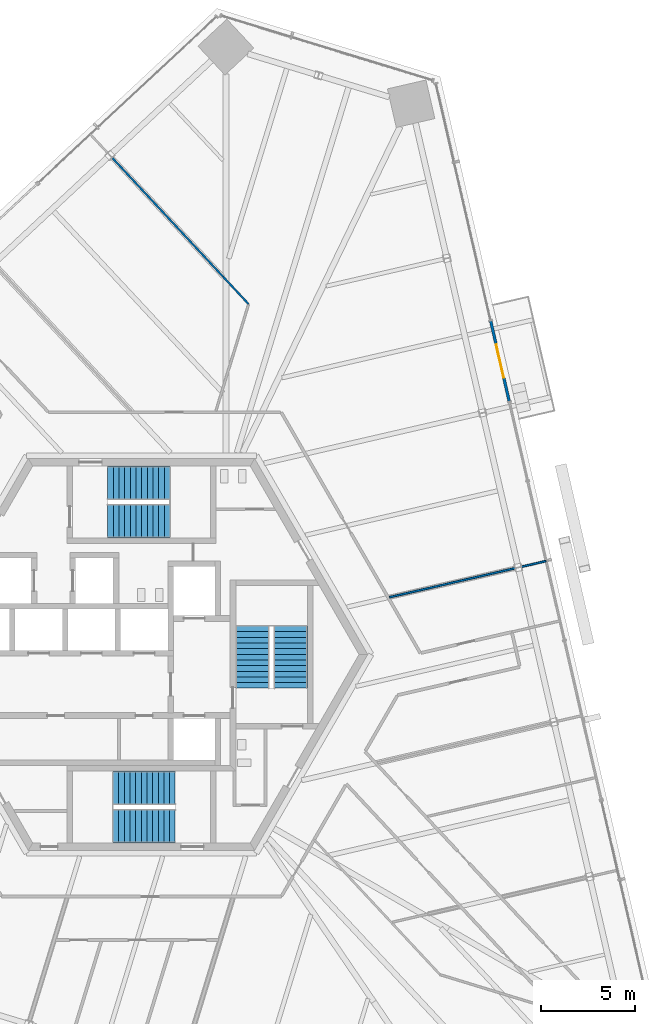
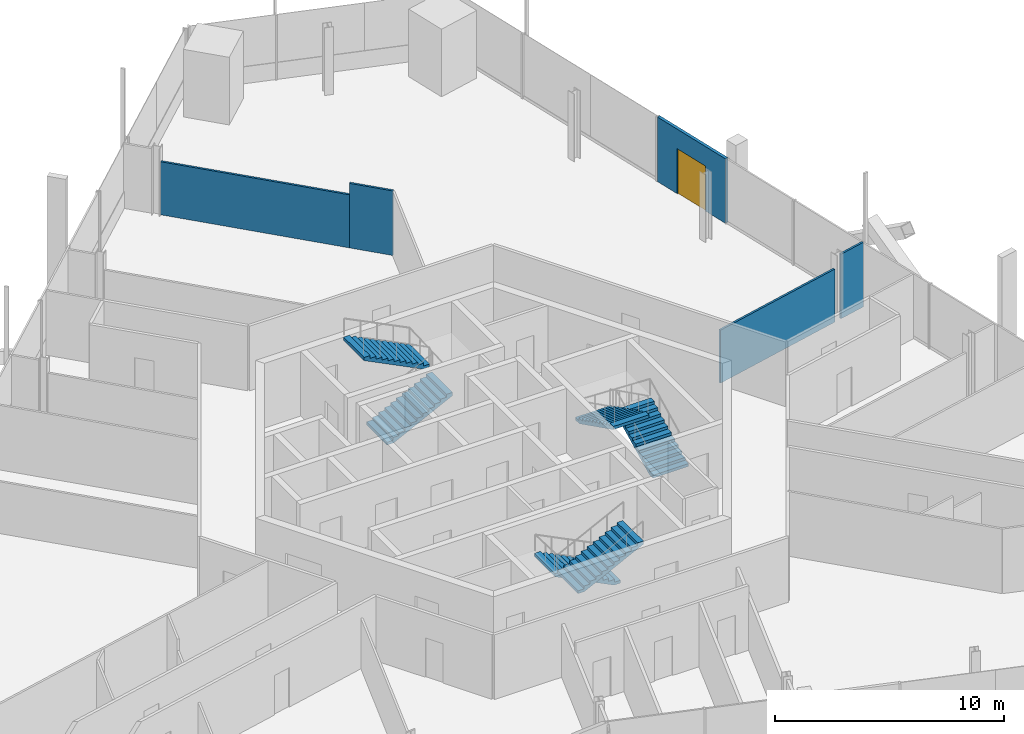
# One storey, part 17 of 24: 6 stair flights, 5 walls, 1 door, 1 opening, 3 elements without a shape of their own.
"""IFC4 building model written with IfcOpenShell, lengths in metres."""

from ifc_helpers import new_model, si_unit, direction, frame, frame_2d, origin, place, context, subcontext, project, spatial, polyline, rectangle, outline, extrude, source, transform, mapped, material, layer, layer_set, type_object, element, fill, aggregate, save


model = new_model("IFC4")

# Units and contexts
model_context = context("Model", 3, precision=1e-05, world=origin(), true_north=direction((0.0, 1.0)))
body_context = subcontext(model_context, "Body", "Model", "MODEL_VIEW")
ifc_project = project(units=[si_unit("LENGTHUNIT", "METRE"), si_unit("AREAUNIT", "SQUARE_METRE"), si_unit("VOLUMEUNIT", "CUBIC_METRE"), si_unit("PLANEANGLEUNIT", "RADIAN"), si_unit("MASSUNIT", "GRAM", prefix="KILO")], contexts=[model_context])

# Site, building, storey
site_placement = place(None, origin())
site = spatial("IfcSite", under=ifc_project, at=site_placement, CompositionType="ELEMENT")
building_placement = place(site_placement, origin())
building = spatial("IfcBuilding", under=site, at=building_placement, Name="Triune Harvest Tower", CompositionType="ELEMENT")
storey_placement = place(building_placement, frame((0.0, 0.0, 112.699951171875)))
storey = spatial("IfcBuildingStorey", under=building, at=storey_placement, Name="L28", CompositionType="ELEMENT", Elevation=112.699951171875)

# Wall, opening, door
ifc_material_1 = material(Name="Aluminium bronze anodised", Category="aluminium")
ifc_layer_1 = layer(ifc_material_1, 0.14990234375)
ifc_layer_set_1 = layer_set([ifc_layer_1], Name="Aluminium bronze anodised")
wall_type_1 = type_object("IfcWallType", Name="WW-2 balcony window wall", PredefinedType="ELEMENTEDWALL", material=ifc_layer_set_1)
shared_shape_1 = source(origin(), body_context, "Body", "SweptSolid", [
    extrude(rectangle(XDim=4.353271484375, YDim=0.14990234375, at=frame_2d((2.1767578125, 0.0))), origin(), (0.0, 0.0, 1.0), 3.43994140625),
])
wall_1_placement = place(storey_placement, frame((18.52197265625, 17.6796875, 0.0), z_axis=(0.0, 0.0, 1.0), x_axis=(0.224945519463, -0.974371342597, 0.0)))
wall_1 = element("IfcWall", 1, at=wall_1_placement, inside=storey, type_object=wall_type_1, Name="WW-2 B3-F1 L28.9", PredefinedType="ELEMENTEDWALL", context=body_context, shape_type="MappedRepresentation", body=[
    mapped(shared_shape_1, transform((0.0, 0.0, 0.0), scale=1.0)),
])
opening_placement = place(wall_1_placement, frame((1.276611328125, 0.0, 0.0)))
opening = element("IfcOpeningElement", 2, at=opening_placement, cuts=wall_1, Name="Opening L28-E01", PredefinedType="OPENING", context=body_context, shape_type="SweptSolid", body=[
    extrude(rectangle(XDim=1.800048828125, YDim=2.39990234375, at=frame_2d((0.89990234375, 1.199951171875))), frame((0.0, 0.0849609375, 0.0), z_axis=(0.0, -1.0, 0.0), x_axis=(1.0, 0.0, 0.0)), (0.0, 0.0, 1.0), 0.169921875),
])
ifc_material_2 = material(Name="Glass", Category="glass")
door_type = type_object("IfcDoorType", Name="DB-1 balcony door 1800 x 2400", OperationType="DOUBLE_DOOR_SINGLE_SWING", PredefinedType="DOOR", material=ifc_material_2)
door_placement = place(opening_placement, origin())
door = element("IfcDoor", 3, at=door_placement, inside=storey, type_object=door_type, Name="Door L28-E01", OperationType="DOUBLE_DOOR_SINGLE_SWING", OverallHeight=2.39990234375, OverallWidth=1.800048828125, PredefinedType="DOOR", context=body_context, shape_type="SweptSolid", body=[
    extrude(rectangle(XDim=1.800048828125, YDim=2.39990234375, at=frame_2d((0.89990234375, 1.199951171875))), frame((0.0, 0.02490234375, 0.0), z_axis=(0.0, -1.0, 0.0), x_axis=(1.0, 0.0, 0.0)), (0.0, 0.0, 1.0), 0.050048828125),
])
fill(opening, door)

# Walls
ifc_material_3 = material(Name="Gypsum board on steel studs", Category="steel")
ifc_layer_2 = layer(ifc_material_3, 0.10009765625)
ifc_layer_set_2 = layer_set([ifc_layer_2], Name="Gypsum board on steel studs")
wall_type_2 = type_object("IfcWallType", Name="Partition 100 mm", PredefinedType="PARTITIONING", material=ifc_layer_set_2)
shared_shape_2 = source(origin(), body_context, "Body", "SweptSolid", [
    extrude(rectangle(XDim=1.338134765625, YDim=0.10009765625, at=frame_2d((0.6689453125, 0.0))), origin(), (0.0, 0.0, 1.0), 3.43994140625),
])
wall_2_placement = place(storey_placement, frame((20.156005859375, 4.6533203125, 0.0), z_axis=(0.0, 0.0, 1.0), x_axis=(0.974363511026, 0.224979439906, 0.0)))
element("IfcWall", 4, at=wall_2_placement, inside=storey, type_object=wall_type_2, Name="Partition L28 044", PredefinedType="PARTITIONING", context=body_context, shape_type="MappedRepresentation", body=[
    mapped(shared_shape_2, transform((0.0, 0.0, 0.0), scale=1.0)),
])
shared_shape_3 = source(origin(), body_context, "Body", "SweptSolid", [
    extrude(rectangle(XDim=8.61767578125, YDim=0.10009765625, at=frame_2d((4.308837890625, 0.0))), origin(), (0.0, 0.0, 1.0), 2.827880859375),
])
wall_3_placement = place(storey_placement, frame((-1.5537109375, 26.342041015625, 0.0), z_axis=(0.0, 0.0, 1.0), x_axis=(0.682000224703, -0.731351962809, 0.0)))
element("IfcWall", 5, at=wall_3_placement, inside=storey, type_object=wall_type_2, Name="Partition L28 022", PredefinedType="PARTITIONING", context=body_context, shape_type="MappedRepresentation", body=[
    mapped(shared_shape_3, transform((0.0, 0.0, 0.0), scale=1.0)),
])
shared_shape_4 = source(origin(), body_context, "Body", "SweptSolid", [
    extrude(rectangle(XDim=1.9912109375, YDim=0.10009765625, at=frame_2d((0.99560546875, 0.0))), origin(), (0.0, 0.0, 1.0), 3.43994140625),
])
wall_4_placement = place(storey_placement, frame((4.323486328125, 20.03955078125, 0.0), z_axis=(0.0, 0.0, 1.0), x_axis=(0.681968684126, -0.731381373752, 0.0)))
element("IfcWall", 6, at=wall_4_placement, inside=storey, type_object=wall_type_2, Name="Partition L28 022a", PredefinedType="PARTITIONING", context=body_context, shape_type="MappedRepresentation", body=[
    mapped(shared_shape_4, transform((0.0, 0.0, 0.0), scale=1.0)),
])
shared_shape_5 = source(origin(), body_context, "Body", "SweptSolid", [
    extrude(rectangle(XDim=6.825927734375, YDim=0.10009765625, at=frame_2d((3.4130859375, 0.0))), origin(), (0.0, 0.0, 1.0), 2.827880859375),
])
wall_5_placement = place(storey_placement, frame((13.153076171875, 3.03662109375, 0.0), z_axis=(0.0, 0.0, 1.0), x_axis=(0.974374314592, 0.224932645614, 0.0)))
element("IfcWall", 7, at=wall_5_placement, inside=storey, type_object=wall_type_2, Name="Partition L28 043", PredefinedType="PARTITIONING", context=body_context, shape_type="MappedRepresentation", body=[
    mapped(shared_shape_5, transform((0.0, 0.0, 0.0), scale=1.0)),
])

# Stair, stair flights
ifc_material_4 = material(Name="Concrete 40 MPa", Category="concrete")
stair_type = type_object("IfcStairType", Name="Exit stair 1800 half turn", PredefinedType="HALF_TURN_STAIR", material=ifc_material_4)
stair_1_placement = place(storey_placement, origin())
stair_1 = element("IfcStair", 8, at=stair_1_placement, inside=storey, type_object=stair_type, Name="Exit stair north", PredefinedType="HALF_TURN_STAIR")
ifc_material_5 = material(Name="Concrete 40 MPa", Category="concrete")
stair_flight_type = type_object("IfcStairFlightType", Name="Stair flight 1800", PredefinedType="STRAIGHT", material=ifc_material_5)
shared_shape_6 = source(origin(), body_context, "Body", "SweptSolid", [
    extrude(outline(polyline([(0.0, 0.0), (0.0, 0.14990234375), (0.300048828125, 0.14990234375), (0.300048828125, 0.300048828125), (0.60009765625, 0.300048828125), (0.60009765625, 0.449951171875), (0.89990234375, 0.449951171875), (0.89990234375, 0.60009765625), (1.199951171875, 0.60009765625), (1.199951171875, 0.75), (1.5, 0.75), (1.5, 0.89990234375), (1.800048828125, 0.89990234375), (1.800048828125, 1.050048828125), (2.10009765625, 1.050048828125), (2.10009765625, 1.199951171875), (2.39990234375, 1.199951171875), (2.39990234375, 1.35009765625), (2.699951171875, 1.35009765625), (2.699951171875, 1.5), (3.0, 1.5), (3.0, 1.64990234375), (3.300048828125, 1.64990234375), (3.300048828125, 1.800048828125), (3.300048828125, 1.482421875), (0.335205078125, 0.0), (0.0, 0.0)])), frame((0.0, 0.89990234375, 0.0), z_axis=(0.0, -1.0, 0.0), x_axis=(1.0, 0.0, 0.0)), (0.0, 0.0, 1.0), 1.800048828125),
])
stair_flight_1_placement = place(storey_placement, frame((-1.7900390625, 7.090087890625, 0.0), z_axis=(0.0, 0.0, 1.0), x_axis=(1.0, 0.0, 0.0)))
stair_flight_1 = element("IfcStairFlight", 9, at=stair_flight_1_placement, type_object=stair_flight_type, Name="ST-1 flight 1", NumberOfRisers=12, NumberOfTreads=11, PredefinedType="STRAIGHT", RiserHeight=0.15, TreadLength=0.3, context=body_context, shape_type="MappedRepresentation", body=[
    mapped(shared_shape_6, transform((0.0, 0.0, 0.0), scale=1.0)),
])
stair_flight_2_placement = place(storey_placement, frame((1.510009765625, 9.090087890625, 1.800048828125), z_axis=(0.0, 0.0, 1.0), x_axis=(-1.0, 0.0, 0.0)))
stair_flight_2 = element("IfcStairFlight", 10, at=stair_flight_2_placement, type_object=stair_flight_type, Name="ST-1 flight 2", NumberOfRisers=12, NumberOfTreads=11, PredefinedType="STRAIGHT", RiserHeight=0.15, TreadLength=0.3, context=body_context, shape_type="MappedRepresentation", body=[
    mapped(shared_shape_6, transform((0.0, 0.0, 0.0), scale=1.0)),
])
aggregate(stair_1, [stair_flight_1, stair_flight_2])

stair_2_placement = place(storey_placement, origin())
stair_2 = element("IfcStair", 11, at=stair_2_placement, inside=storey, type_object=stair_type, Name="Exit stair south", PredefinedType="HALF_TURN_STAIR")
stair_flight_3_placement = place(storey_placement, frame((1.7900390625, -7.090087890625, 0.0), z_axis=(0.0, 0.0, 1.0), x_axis=(-1.0, 0.0, 0.0)))
stair_flight_3 = element("IfcStairFlight", 12, at=stair_flight_3_placement, type_object=stair_flight_type, Name="ST-2 flight 1", NumberOfRisers=12, NumberOfTreads=11, PredefinedType="STRAIGHT", RiserHeight=0.15, TreadLength=0.3, context=body_context, shape_type="MappedRepresentation", body=[
    mapped(shared_shape_6, transform((0.0, 0.0, 0.0), scale=1.0)),
])
stair_flight_4_placement = place(storey_placement, frame((-1.510009765625, -9.090087890625, 1.800048828125), z_axis=(0.0, 0.0, 1.0), x_axis=(1.0, 0.0, 0.0)))
stair_flight_4 = element("IfcStairFlight", 13, at=stair_flight_4_placement, type_object=stair_flight_type, Name="ST-2 flight 2", NumberOfRisers=12, NumberOfTreads=11, PredefinedType="STRAIGHT", RiserHeight=0.15, TreadLength=0.3, context=body_context, shape_type="MappedRepresentation", body=[
    mapped(shared_shape_6, transform((0.0, 0.0, 0.0), scale=1.0)),
])
aggregate(stair_2, [stair_flight_3, stair_flight_4])

stair_3_placement = place(storey_placement, origin())
stair_3 = element("IfcStair", 14, at=stair_3_placement, inside=storey, type_object=stair_type, Name="Exit stair east", PredefinedType="HALF_TURN_STAIR")
stair_flight_5_placement = place(storey_placement, frame((7.89990234375, -1.7900390625, 0.0), z_axis=(0.0, 0.0, 1.0), x_axis=(0.0, 1.0, 0.0)))
stair_flight_5 = element("IfcStairFlight", 15, at=stair_flight_5_placement, type_object=stair_flight_type, Name="ST-3 flight 1", NumberOfRisers=12, NumberOfTreads=11, PredefinedType="STRAIGHT", RiserHeight=0.15, TreadLength=0.3, context=body_context, shape_type="MappedRepresentation", body=[
    mapped(shared_shape_6, transform((0.0, 0.0, 0.0), scale=1.0)),
])
stair_flight_6_placement = place(storey_placement, frame((5.89990234375, 1.510009765625, 1.800048828125), z_axis=(0.0, 0.0, 1.0), x_axis=(0.0, -1.0, 0.0)))
stair_flight_6 = element("IfcStairFlight", 16, at=stair_flight_6_placement, type_object=stair_flight_type, Name="ST-3 flight 2", NumberOfRisers=12, NumberOfTreads=11, PredefinedType="STRAIGHT", RiserHeight=0.15, TreadLength=0.3, context=body_context, shape_type="MappedRepresentation", body=[
    mapped(shared_shape_6, transform((0.0, 0.0, 0.0), scale=1.0)),
])
aggregate(stair_3, [stair_flight_5, stair_flight_6])

save(model, "model.ifc")
